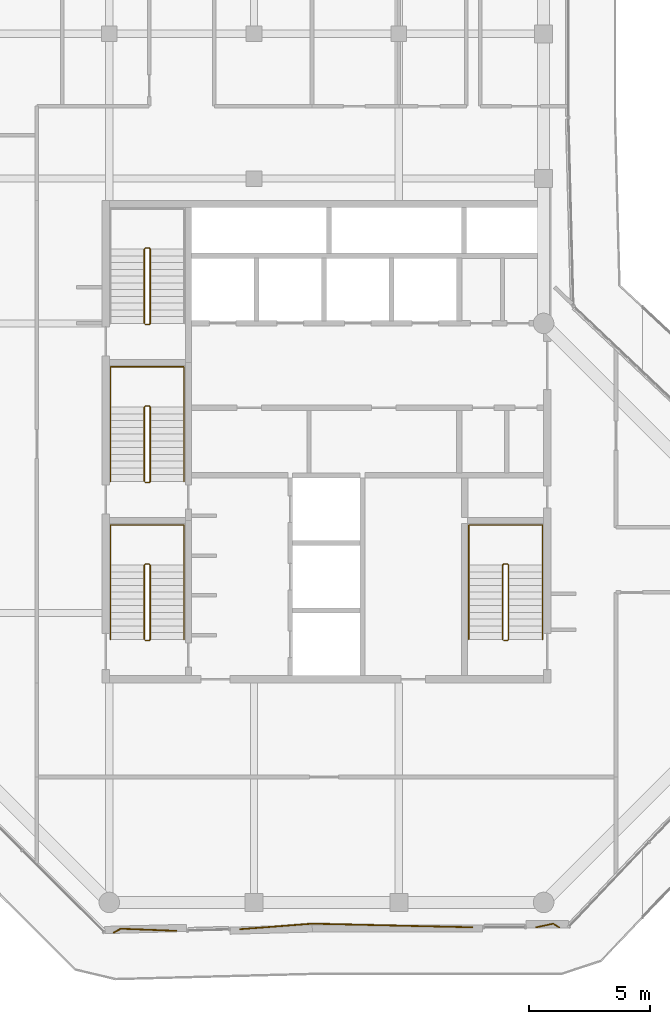
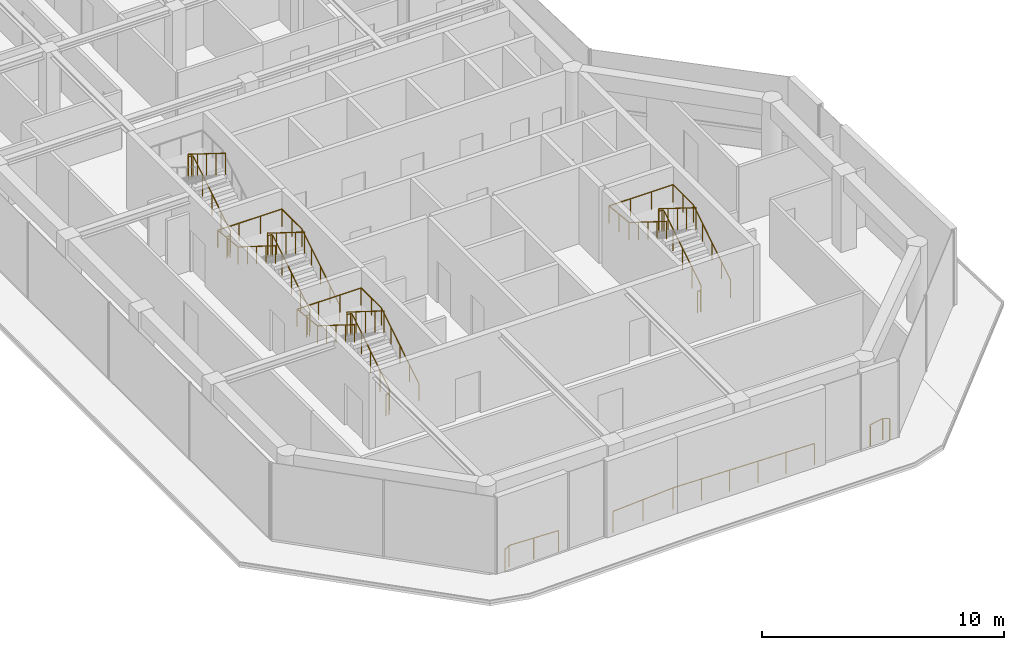
# One storey, part 19 of 20: 10 railings.
"""IFC4 building model written with IfcOpenShell, lengths in metres."""

from ifc_helpers import new_model, si_unit, direction, frame, origin, origin_2d, place, context, subcontext, project, spatial, circle, extrude, material, type_object, element, save


model = new_model("IFC4")

# Units and contexts
model_context = context("Model", 3, precision=1e-05, world=origin(), true_north=direction((0.0, 1.0)))
body_context = subcontext(model_context, "Body", "Model", "MODEL_VIEW")
ifc_project = project(units=[si_unit("LENGTHUNIT", "METRE"), si_unit("AREAUNIT", "SQUARE_METRE"), si_unit("VOLUMEUNIT", "CUBIC_METRE"), si_unit("PLANEANGLEUNIT", "RADIAN"), si_unit("MASSUNIT", "GRAM", prefix="KILO")], contexts=[model_context])

# Site, building, storey
site_placement = place(None, origin())
site = spatial("IfcSite", under=ifc_project, at=site_placement, CompositionType="ELEMENT")
building_placement = place(site_placement, origin())
building = spatial("IfcBuilding", under=site, at=building_placement, Name="Welwitschia Terrace Campus", CompositionType="ELEMENT")
storey_placement = place(building_placement, frame((0.0, 0.0, 293.60009765625)))
storey = spatial("IfcBuildingStorey", under=building, at=storey_placement, Name="L65", CompositionType="ELEMENT", Elevation=293.60009765625)

# Railings
ifc_material_1 = material(Name="Stainless steel grade 316", Category="steel")
railing_type_1 = type_object("IfcRailingType", Name="Guard 1100", PredefinedType="GUARDRAIL", material=ifc_material_1)
railing_1_placement = place(storey_placement, frame((8.781494140625, -5.177490234375, 0.0)))
element("IfcRailing", 1, at=railing_1_placement, inside=storey, type_object=railing_type_1, Name="Guard floor edge L65.1", PredefinedType="GUARDRAIL", context=body_context, shape_type="SweptSolid", body=[
    extrude(circle(Radius=0.02392578125, at=origin_2d()), frame((0.0, 0.0, 1.076171875), z_axis=(-0.99924214888, 0.038924643886, 0.0), x_axis=(-0.038924643886, -0.99924214888, 0.0)), (0.0, 0.0, 1.0), 2.30810546875),
    extrude(circle(Radius=0.02392578125, at=origin_2d()), frame((-2.306396484375, 0.08984375, 1.076171875), z_axis=(-0.87766865125, -0.479267919449, 0.0), x_axis=(0.479267919449, -0.87766865125, 0.0)), (0.0, 0.0, 1.0), 0.3291015625),
    extrude(circle(Radius=0.02099609375, at=origin_2d()), origin(), (0.0, 0.0, 1.0), 1.052001953125),
    extrude(circle(Radius=0.02099609375, at=origin_2d()), frame((-1.1533203125, 0.044921875, 0.0)), (0.0, 0.0, 1.0), 1.052001953125),
    extrude(circle(Radius=0.02099609375, at=origin_2d()), frame((-2.306396484375, 0.08984375, 0.0)), (0.0, 0.0, 1.0), 1.052001953125),
    extrude(circle(Radius=0.02099609375, at=origin_2d()), frame((-2.59521484375, -0.06787109375, 0.0)), (0.0, 0.0, 1.0), 1.052001953125),
])
railing_2_placement = place(storey_placement, frame((21.04931640625, -5.030029296875, 0.0)))
element("IfcRailing", 2, at=railing_2_placement, inside=storey, type_object=railing_type_1, Name="Guard floor edge L65.3", PredefinedType="GUARDRAIL", context=body_context, shape_type="SweptSolid", body=[
    extrude(circle(Radius=0.02392578125, at=origin_2d()), frame((0.0, 0.0, 1.076171875), z_axis=(-0.999744504045, 0.022603686261, 0.0), x_axis=(-0.022603686261, -0.999744504045, 0.0)), (0.0, 0.0, 1.0), 6.642578125),
    extrude(circle(Radius=0.02392578125, at=origin_2d()), frame((-6.640869140625, 0.150146484375, 1.076171875), z_axis=(-0.997079893717, -0.076365473511, 0.0), x_axis=(0.076365473511, -0.997079893717, 0.0)), (0.0, 0.0, 1.0), 2.9892578125),
    extrude(circle(Radius=0.02099609375, at=origin_2d()), origin(), (0.0, 0.0, 1.0), 1.052001953125),
    extrude(circle(Radius=0.02099609375, at=origin_2d()), frame((-1.328125, 0.030029296875, 0.0)), (0.0, 0.0, 1.0), 1.052001953125),
    extrude(circle(Radius=0.02099609375, at=origin_2d()), frame((-2.65625, 0.06005859375, 0.0)), (0.0, 0.0, 1.0), 1.052001953125),
    extrude(circle(Radius=0.02099609375, at=origin_2d()), frame((-3.984619140625, 0.090087890625, 0.0)), (0.0, 0.0, 1.0), 1.052001953125),
    extrude(circle(Radius=0.02099609375, at=origin_2d()), frame((-5.312744140625, 0.1201171875, 0.0)), (0.0, 0.0, 1.0), 1.052001953125),
    extrude(circle(Radius=0.02099609375, at=origin_2d()), frame((-6.640869140625, 0.150146484375, 0.0)), (0.0, 0.0, 1.0), 1.052001953125),
    extrude(circle(Radius=0.02099609375, at=origin_2d()), frame((-8.131103515625, 0.0361328125, 0.0)), (0.0, 0.0, 1.0), 1.052001953125),
    extrude(circle(Radius=0.02099609375, at=origin_2d()), frame((-9.621337890625, -0.078125, 0.0)), (0.0, 0.0, 1.0), 1.052001953125),
])
railing_3_placement = place(storey_placement, frame((24.641357421875, -5.030029296875, 0.0)))
element("IfcRailing", 3, at=railing_3_placement, inside=storey, type_object=railing_type_1, Name="Guard floor edge L65.5", PredefinedType="GUARDRAIL", context=body_context, shape_type="SweptSolid", body=[
    extrude(circle(Radius=0.02392578125, at=origin_2d()), frame((0.0, 0.0, 1.076171875), z_axis=(-0.853887909226, 0.520456951609, 0.0), x_axis=(-0.520456951609, -0.853887909226, 0.0)), (0.0, 0.0, 1.0), 0.28857421875),
    extrude(circle(Radius=0.02392578125, at=origin_2d()), frame((-0.246337890625, 0.150146484375, 1.076171875), z_axis=(-0.977652088752, -0.210229382721, 0.0), x_axis=(0.210229382721, -0.977652088752, 0.0)), (0.0, 0.0, 1.0), 0.714111328125),
    extrude(circle(Radius=0.02099609375, at=origin_2d()), origin(), (0.0, 0.0, 1.0), 1.052001953125),
    extrude(circle(Radius=0.02099609375, at=origin_2d()), frame((-0.246337890625, 0.150146484375, 0.0)), (0.0, 0.0, 1.0), 1.052001953125),
    extrude(circle(Radius=0.02099609375, at=origin_2d()), frame((-0.944580078125, 0.0, 0.0)), (0.0, 0.0, 1.0), 1.052001953125),
])
ifc_material_2 = material(Name="Steel S355", Category="steel")
railing_type_2 = type_object("IfcRailingType", Name="Stair guard 1100", PredefinedType="GUARDRAIL", material=ifc_material_2)
railing_4_placement = place(storey_placement, frame((7.5, 6.85009765625, 0.0)))
element("IfcRailing", 4, at=railing_4_placement, inside=storey, type_object=railing_type_2, Name="L65 S1 stair guard", PredefinedType="GUARDRAIL", context=body_context, shape_type="SweptSolid", body=[
    extrude(circle(Radius=0.02392578125, at=origin_2d()), frame((0.0, 0.0, 1.076171875), z_axis=(1.0, 0.0, 0.0), x_axis=(0.0, 1.0, 0.0)), (0.0, 0.0, 1.0), 0.14990234375),
    extrude(circle(Radius=0.02392578125, at=origin_2d()), frame((0.14990234375, 0.0, 1.076171875), z_axis=(0.265474339444, 0.264179342666, 0.927217692888), x_axis=(-0.705375805398, 0.708833529934, 0.0)), (0.0, 0.0, 1.0), 0.1884765625),
    extrude(circle(Radius=0.02392578125, at=origin_2d()), frame((0.199951171875, 0.0498046875, 1.2509765625), z_axis=(0.0, 0.847998304005, 0.529998940003), x_axis=(-1.0, 0.0, 0.0)), (0.0, 0.0, 1.0), 3.632080078125),
    extrude(circle(Radius=0.02392578125, at=origin_2d()), frame((0.199951171875, 3.1298828125, 3.17578125), z_axis=(-0.707106781187, 0.707106781187, 0.0), x_axis=(-0.707106781187, -0.707106781187, 0.0)), (0.0, 0.0, 1.0), 0.07080078125),
    extrude(circle(Radius=0.02392578125, at=origin_2d()), frame((0.14990234375, 3.179931640625, 3.17578125), z_axis=(-1.0, 0.0, 0.0), x_axis=(0.0, -1.0, 0.0)), (0.0, 0.0, 1.0), 0.14990234375),
    extrude(circle(Radius=0.02392578125, at=origin_2d()), frame((0.0, 3.179931640625, 3.17578125), z_axis=(-0.265065253269, -0.265065253269, 0.927081885822), x_axis=(0.707106781187, -0.707106781187, 0.0)), (0.0, 0.0, 1.0), 0.188720703125),
    extrude(circle(Radius=0.02392578125, at=origin_2d()), frame((-0.050048828125, 3.1298828125, 3.35107421875), z_axis=(0.0, -0.847998304005, 0.529998940003), x_axis=(1.0, 0.0, 0.0)), (0.0, 0.0, 1.0), 3.632080078125),
    extrude(circle(Radius=0.02099609375, at=origin_2d()), origin(), (0.0, 0.0, 1.0), 1.052001953125),
    extrude(circle(Radius=0.02099609375, at=origin_2d()), frame((0.14990234375, 0.0, 0.0)), (0.0, 0.0, 1.0), 1.052001953125),
    extrude(circle(Radius=0.02099609375, at=origin_2d()), frame((0.199951171875, 0.0498046875, 0.1748046875)), (0.0, 0.0, 1.0), 1.052001953125),
    extrude(circle(Radius=0.02099609375, at=origin_2d()), frame((0.199951171875, 0.81982421875, 0.656005859375)), (0.0, 0.0, 1.0), 1.052001953125),
    extrude(circle(Radius=0.02099609375, at=origin_2d()), frame((0.199951171875, 1.58984375, 1.13720703125)), (0.0, 0.0, 1.0), 1.052001953125),
    extrude(circle(Radius=0.02099609375, at=origin_2d()), frame((0.199951171875, 2.35986328125, 1.61865234375)), (0.0, 0.0, 1.0), 1.052001953125),
    extrude(circle(Radius=0.02099609375, at=origin_2d()), frame((0.199951171875, 3.1298828125, 2.099853515625)), (0.0, 0.0, 1.0), 1.052001953125),
    extrude(circle(Radius=0.02099609375, at=origin_2d()), frame((0.14990234375, 3.179931640625, 2.099853515625)), (0.0, 0.0, 1.0), 1.052001953125),
    extrude(circle(Radius=0.02099609375, at=origin_2d()), frame((0.0, 3.179931640625, 2.099853515625)), (0.0, 0.0, 1.0), 1.052001953125),
    extrude(circle(Radius=0.02099609375, at=origin_2d()), frame((-0.050048828125, 3.1298828125, 2.27490234375)), (0.0, 0.0, 1.0), 1.052001953125),
    extrude(circle(Radius=0.02099609375, at=origin_2d()), frame((-0.050048828125, 2.35986328125, 2.756103515625)), (0.0, 0.0, 1.0), 1.052001953125),
    extrude(circle(Radius=0.02099609375, at=origin_2d()), frame((-0.050048828125, 1.58984375, 3.2373046875)), (0.0, 0.0, 1.0), 1.052001953125),
    extrude(circle(Radius=0.02099609375, at=origin_2d()), frame((-0.050048828125, 0.81982421875, 3.71875)), (0.0, 0.0, 1.0), 1.052001953125),
    extrude(circle(Radius=0.02099609375, at=origin_2d()), frame((-0.050048828125, 0.0498046875, 4.199951171875)), (0.0, 0.0, 1.0), 1.052001953125),
])
railing_5_placement = place(storey_placement, frame((7.5, 13.39990234375, 0.0)))
element("IfcRailing", 5, at=railing_5_placement, inside=storey, type_object=railing_type_2, Name="L65 S3 stair guard", PredefinedType="GUARDRAIL", context=body_context, shape_type="SweptSolid", body=[
    extrude(circle(Radius=0.02392578125, at=origin_2d()), frame((0.0, 0.0, 1.076171875), z_axis=(1.0, 0.0, 0.0), x_axis=(0.0, 1.0, 0.0)), (0.0, 0.0, 1.0), 0.14990234375),
    extrude(circle(Radius=0.02392578125, at=origin_2d()), frame((0.14990234375, 0.0, 1.076171875), z_axis=(0.265383341853, 0.265383341853, 0.926899867156), x_axis=(-0.707106781187, 0.707106781187, 0.0)), (0.0, 0.0, 1.0), 0.1884765625),
    extrude(circle(Radius=0.02392578125, at=origin_2d()), frame((0.199951171875, 0.050048828125, 1.2509765625), z_axis=(0.0, 0.847998304005, 0.529998940003), x_axis=(-1.0, 0.0, 0.0)), (0.0, 0.0, 1.0), 3.632080078125),
    extrude(circle(Radius=0.02392578125, at=origin_2d()), frame((0.199951171875, 3.130126953125, 3.17578125), z_axis=(-0.707106781187, 0.707106781187, 0.0), x_axis=(-0.707106781187, -0.707106781187, 0.0)), (0.0, 0.0, 1.0), 0.07080078125),
    extrude(circle(Radius=0.02392578125, at=origin_2d()), frame((0.14990234375, 3.18017578125, 3.17578125), z_axis=(-1.0, 0.0, 0.0), x_axis=(0.0, -1.0, 0.0)), (0.0, 0.0, 1.0), 0.14990234375),
    extrude(circle(Radius=0.02392578125, at=origin_2d()), frame((0.0, 3.18017578125, 3.17578125), z_axis=(-0.265065253269, -0.265065253269, 0.927081885822), x_axis=(0.707106781187, -0.707106781187, 0.0)), (0.0, 0.0, 1.0), 0.188720703125),
    extrude(circle(Radius=0.02392578125, at=origin_2d()), frame((-0.050048828125, 3.130126953125, 3.35107421875), z_axis=(0.0, -0.847998304005, 0.529998940003), x_axis=(1.0, 0.0, 0.0)), (0.0, 0.0, 1.0), 3.632080078125),
    extrude(circle(Radius=0.02099609375, at=origin_2d()), origin(), (0.0, 0.0, 1.0), 1.052001953125),
    extrude(circle(Radius=0.02099609375, at=origin_2d()), frame((0.14990234375, 0.0, 0.0)), (0.0, 0.0, 1.0), 1.052001953125),
    extrude(circle(Radius=0.02099609375, at=origin_2d()), frame((0.199951171875, 0.050048828125, 0.1748046875)), (0.0, 0.0, 1.0), 1.052001953125),
    extrude(circle(Radius=0.02099609375, at=origin_2d()), frame((0.199951171875, 0.820068359375, 0.656005859375)), (0.0, 0.0, 1.0), 1.052001953125),
    extrude(circle(Radius=0.02099609375, at=origin_2d()), frame((0.199951171875, 1.590087890625, 1.13720703125)), (0.0, 0.0, 1.0), 1.052001953125),
    extrude(circle(Radius=0.02099609375, at=origin_2d()), frame((0.199951171875, 2.360107421875, 1.61865234375)), (0.0, 0.0, 1.0), 1.052001953125),
    extrude(circle(Radius=0.02099609375, at=origin_2d()), frame((0.199951171875, 3.130126953125, 2.099853515625)), (0.0, 0.0, 1.0), 1.052001953125),
    extrude(circle(Radius=0.02099609375, at=origin_2d()), frame((0.14990234375, 3.18017578125, 2.099853515625)), (0.0, 0.0, 1.0), 1.052001953125),
    extrude(circle(Radius=0.02099609375, at=origin_2d()), frame((0.0, 3.18017578125, 2.099853515625)), (0.0, 0.0, 1.0), 1.052001953125),
    extrude(circle(Radius=0.02099609375, at=origin_2d()), frame((-0.050048828125, 3.130126953125, 2.27490234375)), (0.0, 0.0, 1.0), 1.052001953125),
    extrude(circle(Radius=0.02099609375, at=origin_2d()), frame((-0.050048828125, 2.360107421875, 2.756103515625)), (0.0, 0.0, 1.0), 1.052001953125),
    extrude(circle(Radius=0.02099609375, at=origin_2d()), frame((-0.050048828125, 1.590087890625, 3.2373046875)), (0.0, 0.0, 1.0), 1.052001953125),
    extrude(circle(Radius=0.02099609375, at=origin_2d()), frame((-0.050048828125, 0.820068359375, 3.71875)), (0.0, 0.0, 1.0), 1.052001953125),
    extrude(circle(Radius=0.02099609375, at=origin_2d()), frame((-0.050048828125, 0.050048828125, 4.199951171875)), (0.0, 0.0, 1.0), 1.052001953125),
])
railing_6_placement = place(storey_placement, frame((7.5, 19.949951171875, 0.0)))
element("IfcRailing", 6, at=railing_6_placement, inside=storey, type_object=railing_type_2, Name="L65 S4 stair guard", PredefinedType="GUARDRAIL", context=body_context, shape_type="SweptSolid", body=[
    extrude(circle(Radius=0.02392578125, at=origin_2d()), frame((0.0, 0.0, 1.076171875), z_axis=(1.0, 0.0, 0.0), x_axis=(0.0, 1.0, 0.0)), (0.0, 0.0, 1.0), 0.14990234375),
    extrude(circle(Radius=0.02392578125, at=origin_2d()), frame((0.14990234375, 0.0, 1.076171875), z_axis=(0.265383341853, 0.265383341853, 0.926899867156), x_axis=(-0.707106781187, 0.707106781187, 0.0)), (0.0, 0.0, 1.0), 0.1884765625),
    extrude(circle(Radius=0.02392578125, at=origin_2d()), frame((0.199951171875, 0.050048828125, 1.2509765625), z_axis=(0.0, 0.847998304005, 0.529998940003), x_axis=(-1.0, 0.0, 0.0)), (0.0, 0.0, 1.0), 3.632080078125),
    extrude(circle(Radius=0.02392578125, at=origin_2d()), frame((0.199951171875, 3.130126953125, 3.17578125), z_axis=(-0.708833529934, 0.705375805398, 0.0), x_axis=(-0.705375805398, -0.708833529934, 0.0)), (0.0, 0.0, 1.0), 0.070556640625),
    extrude(circle(Radius=0.02392578125, at=origin_2d()), frame((0.14990234375, 3.179931640625, 3.17578125), z_axis=(-1.0, 0.0, 0.0), x_axis=(0.0, -1.0, 0.0)), (0.0, 0.0, 1.0), 0.14990234375),
    extrude(circle(Radius=0.02392578125, at=origin_2d()), frame((0.0, 3.179931640625, 3.17578125), z_axis=(-0.265155923931, -0.263862480399, 0.927399011991), x_axis=(0.705375805398, -0.708833529934, 0.0)), (0.0, 0.0, 1.0), 0.188720703125),
    extrude(circle(Radius=0.02392578125, at=origin_2d()), frame((-0.050048828125, 3.130126953125, 3.35107421875), z_axis=(0.0, -0.847998304005, 0.529998940003), x_axis=(1.0, 0.0, 0.0)), (0.0, 0.0, 1.0), 3.632080078125),
    extrude(circle(Radius=0.02099609375, at=origin_2d()), origin(), (0.0, 0.0, 1.0), 1.052001953125),
    extrude(circle(Radius=0.02099609375, at=origin_2d()), frame((0.14990234375, 0.0, 0.0)), (0.0, 0.0, 1.0), 1.052001953125),
    extrude(circle(Radius=0.02099609375, at=origin_2d()), frame((0.199951171875, 0.050048828125, 0.1748046875)), (0.0, 0.0, 1.0), 1.052001953125),
    extrude(circle(Radius=0.02099609375, at=origin_2d()), frame((0.199951171875, 0.820068359375, 0.656005859375)), (0.0, 0.0, 1.0), 1.052001953125),
    extrude(circle(Radius=0.02099609375, at=origin_2d()), frame((0.199951171875, 1.590087890625, 1.13720703125)), (0.0, 0.0, 1.0), 1.052001953125),
    extrude(circle(Radius=0.02099609375, at=origin_2d()), frame((0.199951171875, 2.360107421875, 1.61865234375)), (0.0, 0.0, 1.0), 1.052001953125),
    extrude(circle(Radius=0.02099609375, at=origin_2d()), frame((0.199951171875, 3.130126953125, 2.099853515625)), (0.0, 0.0, 1.0), 1.052001953125),
    extrude(circle(Radius=0.02099609375, at=origin_2d()), frame((0.14990234375, 3.179931640625, 2.099853515625)), (0.0, 0.0, 1.0), 1.052001953125),
    extrude(circle(Radius=0.02099609375, at=origin_2d()), frame((0.0, 3.179931640625, 2.099853515625)), (0.0, 0.0, 1.0), 1.052001953125),
    extrude(circle(Radius=0.02099609375, at=origin_2d()), frame((-0.050048828125, 3.130126953125, 2.27490234375)), (0.0, 0.0, 1.0), 1.052001953125),
    extrude(circle(Radius=0.02099609375, at=origin_2d()), frame((-0.050048828125, 2.360107421875, 2.756103515625)), (0.0, 0.0, 1.0), 1.052001953125),
    extrude(circle(Radius=0.02099609375, at=origin_2d()), frame((-0.050048828125, 1.590087890625, 3.2373046875)), (0.0, 0.0, 1.0), 1.052001953125),
    extrude(circle(Radius=0.02099609375, at=origin_2d()), frame((-0.050048828125, 0.820068359375, 3.71875)), (0.0, 0.0, 1.0), 1.052001953125),
    extrude(circle(Radius=0.02099609375, at=origin_2d()), frame((-0.050048828125, 0.050048828125, 4.199951171875)), (0.0, 0.0, 1.0), 1.052001953125),
])
railing_7_placement = place(storey_placement, frame((22.35009765625, 6.85009765625, 0.0)))
element("IfcRailing", 7, at=railing_7_placement, inside=storey, type_object=railing_type_2, Name="L65 S2 stair guard", PredefinedType="GUARDRAIL", context=body_context, shape_type="SweptSolid", body=[
    extrude(circle(Radius=0.02392578125, at=origin_2d()), frame((0.0, 0.0, 1.076171875), z_axis=(1.0, 0.0, 0.0), x_axis=(0.0, 1.0, 0.0)), (0.0, 0.0, 1.0), 0.14990234375),
    extrude(circle(Radius=0.02392578125, at=origin_2d()), frame((0.14990234375, 0.0, 1.076171875), z_axis=(0.265474339444, 0.264179342666, 0.927217692888), x_axis=(-0.705375805398, 0.708833529934, 0.0)), (0.0, 0.0, 1.0), 0.1884765625),
    extrude(circle(Radius=0.02392578125, at=origin_2d()), frame((0.199951171875, 0.0498046875, 1.2509765625), z_axis=(0.0, 0.847998304005, 0.529998940003), x_axis=(-1.0, 0.0, 0.0)), (0.0, 0.0, 1.0), 3.632080078125),
    extrude(circle(Radius=0.02392578125, at=origin_2d()), frame((0.199951171875, 3.1298828125, 3.17578125), z_axis=(-0.707106781187, 0.707106781187, 0.0), x_axis=(-0.707106781187, -0.707106781187, 0.0)), (0.0, 0.0, 1.0), 0.07080078125),
    extrude(circle(Radius=0.02392578125, at=origin_2d()), frame((0.14990234375, 3.179931640625, 3.17578125), z_axis=(-1.0, 0.0, 0.0), x_axis=(0.0, -1.0, 0.0)), (0.0, 0.0, 1.0), 0.14990234375),
    extrude(circle(Radius=0.02392578125, at=origin_2d()), frame((0.0, 3.179931640625, 3.17578125), z_axis=(-0.265065253269, -0.265065253269, 0.927081885822), x_axis=(0.707106781187, -0.707106781187, 0.0)), (0.0, 0.0, 1.0), 0.188720703125),
    extrude(circle(Radius=0.02392578125, at=origin_2d()), frame((-0.050048828125, 3.1298828125, 3.35107421875), z_axis=(0.0, -0.847998304005, 0.529998940003), x_axis=(1.0, 0.0, 0.0)), (0.0, 0.0, 1.0), 3.632080078125),
    extrude(circle(Radius=0.02099609375, at=origin_2d()), origin(), (0.0, 0.0, 1.0), 1.052001953125),
    extrude(circle(Radius=0.02099609375, at=origin_2d()), frame((0.14990234375, 0.0, 0.0)), (0.0, 0.0, 1.0), 1.052001953125),
    extrude(circle(Radius=0.02099609375, at=origin_2d()), frame((0.199951171875, 0.0498046875, 0.1748046875)), (0.0, 0.0, 1.0), 1.052001953125),
    extrude(circle(Radius=0.02099609375, at=origin_2d()), frame((0.199951171875, 0.81982421875, 0.656005859375)), (0.0, 0.0, 1.0), 1.052001953125),
    extrude(circle(Radius=0.02099609375, at=origin_2d()), frame((0.199951171875, 1.58984375, 1.13720703125)), (0.0, 0.0, 1.0), 1.052001953125),
    extrude(circle(Radius=0.02099609375, at=origin_2d()), frame((0.199951171875, 2.35986328125, 1.61865234375)), (0.0, 0.0, 1.0), 1.052001953125),
    extrude(circle(Radius=0.02099609375, at=origin_2d()), frame((0.199951171875, 3.1298828125, 2.099853515625)), (0.0, 0.0, 1.0), 1.052001953125),
    extrude(circle(Radius=0.02099609375, at=origin_2d()), frame((0.14990234375, 3.179931640625, 2.099853515625)), (0.0, 0.0, 1.0), 1.052001953125),
    extrude(circle(Radius=0.02099609375, at=origin_2d()), frame((0.0, 3.179931640625, 2.099853515625)), (0.0, 0.0, 1.0), 1.052001953125),
    extrude(circle(Radius=0.02099609375, at=origin_2d()), frame((-0.050048828125, 3.1298828125, 2.27490234375)), (0.0, 0.0, 1.0), 1.052001953125),
    extrude(circle(Radius=0.02099609375, at=origin_2d()), frame((-0.050048828125, 2.35986328125, 2.756103515625)), (0.0, 0.0, 1.0), 1.052001953125),
    extrude(circle(Radius=0.02099609375, at=origin_2d()), frame((-0.050048828125, 1.58984375, 3.2373046875)), (0.0, 0.0, 1.0), 1.052001953125),
    extrude(circle(Radius=0.02099609375, at=origin_2d()), frame((-0.050048828125, 0.81982421875, 3.71875)), (0.0, 0.0, 1.0), 1.052001953125),
    extrude(circle(Radius=0.02099609375, at=origin_2d()), frame((-0.050048828125, 0.0498046875, 4.199951171875)), (0.0, 0.0, 1.0), 1.052001953125),
])
ifc_material_3 = material(Name="Steel S355", Category="steel")
railing_type_3 = type_object("IfcRailingType", Name="Stair handrail 900", PredefinedType="HANDRAIL", material=ifc_material_3)
railing_8_placement = place(storey_placement, frame((9.10009765625, 6.89990234375, 0.1748046875)))
element("IfcRailing", 8, at=railing_8_placement, inside=storey, type_object=railing_type_3, Name="L65 S1 stair handrail", PredefinedType="HANDRAIL", context=body_context, shape_type="SweptSolid", body=[
    extrude(circle(Radius=0.02392578125, at=origin_2d()), frame((0.0, 0.0, 0.8759765625), z_axis=(0.0, 0.847998304005, 0.529998940003), x_axis=(-1.0, 0.0, 0.0)), (0.0, 0.0, 1.0), 3.632080078125),
    extrude(circle(Radius=0.02392578125, at=origin_2d()), frame((0.0, 3.080078125, 2.80078125), z_axis=(0.0, 1.0, 0.0), x_axis=(-1.0, 0.0, 0.0)), (0.0, 0.0, 1.0), 1.669921875),
    extrude(circle(Radius=0.02392578125, at=origin_2d()), frame((0.0, 4.75, 2.80078125), z_axis=(-1.0, 0.0, 0.0), x_axis=(0.0, -1.0, 0.0)), (0.0, 0.0, 1.0), 3.050048828125),
    extrude(circle(Radius=0.02392578125, at=origin_2d()), frame((-3.050048828125, 4.75, 2.80078125), z_axis=(0.0, -0.99455077262, 0.104253348533), x_axis=(1.0, 0.0, 0.0)), (0.0, 0.0, 1.0), 1.678955078125),
    extrude(circle(Radius=0.02392578125, at=origin_2d()), frame((-3.050048828125, 3.080078125, 2.97607421875), z_axis=(0.0, -0.847998304005, 0.529998940003), x_axis=(1.0, 0.0, 0.0)), (0.0, 0.0, 1.0), 3.632080078125),
    extrude(circle(Radius=0.02099609375, at=origin_2d()), origin(), (0.0, 0.0, 1.0), 0.851806640625),
    extrude(circle(Radius=0.02099609375, at=origin_2d()), frame((0.0, 0.77001953125, 0.481201171875)), (0.0, 0.0, 1.0), 0.851806640625),
    extrude(circle(Radius=0.02099609375, at=origin_2d()), frame((0.0, 1.5400390625, 0.96240234375)), (0.0, 0.0, 1.0), 0.851806640625),
    extrude(circle(Radius=0.02099609375, at=origin_2d()), frame((0.0, 2.31005859375, 1.44384765625)), (0.0, 0.0, 1.0), 0.851806640625),
    extrude(circle(Radius=0.02099609375, at=origin_2d()), frame((0.0, 3.080078125, 1.925048828125)), (0.0, 0.0, 1.0), 0.851806640625),
    extrude(circle(Radius=0.02099609375, at=origin_2d()), frame((0.0, 3.9150390625, 1.925048828125)), (0.0, 0.0, 1.0), 0.851806640625),
    extrude(circle(Radius=0.02099609375, at=origin_2d()), frame((0.0, 4.75, 1.925048828125)), (0.0, 0.0, 1.0), 0.851806640625),
    extrude(circle(Radius=0.02099609375, at=origin_2d()), frame((-1.0166015625, 4.75, 1.925048828125)), (0.0, 0.0, 1.0), 0.851806640625),
    extrude(circle(Radius=0.02099609375, at=origin_2d()), frame((-2.033447265625, 4.75, 1.925048828125)), (0.0, 0.0, 1.0), 0.851806640625),
    extrude(circle(Radius=0.02099609375, at=origin_2d()), frame((-3.050048828125, 4.75, 1.925048828125)), (0.0, 0.0, 1.0), 0.851806640625),
    extrude(circle(Radius=0.02099609375, at=origin_2d()), frame((-3.050048828125, 3.9150390625, 2.0126953125)), (0.0, 0.0, 1.0), 0.851806640625),
    extrude(circle(Radius=0.02099609375, at=origin_2d()), frame((-3.050048828125, 3.080078125, 2.10009765625)), (0.0, 0.0, 1.0), 0.851806640625),
    extrude(circle(Radius=0.02099609375, at=origin_2d()), frame((-3.050048828125, 2.31005859375, 2.581298828125)), (0.0, 0.0, 1.0), 0.851806640625),
    extrude(circle(Radius=0.02099609375, at=origin_2d()), frame((-3.050048828125, 1.5400390625, 3.0625)), (0.0, 0.0, 1.0), 0.851806640625),
    extrude(circle(Radius=0.02099609375, at=origin_2d()), frame((-3.050048828125, 0.77001953125, 3.5439453125)), (0.0, 0.0, 1.0), 0.851806640625),
    extrude(circle(Radius=0.02099609375, at=origin_2d()), frame((-3.050048828125, 0.0, 4.025146484375)), (0.0, 0.0, 1.0), 0.851806640625),
])
railing_9_placement = place(storey_placement, frame((9.10009765625, 13.449951171875, 0.1748046875)))
element("IfcRailing", 9, at=railing_9_placement, inside=storey, type_object=railing_type_3, Name="L65 S3 stair handrail", PredefinedType="HANDRAIL", context=body_context, shape_type="SweptSolid", body=[
    extrude(circle(Radius=0.02392578125, at=origin_2d()), frame((0.0, 0.0, 0.8759765625), z_axis=(0.0, 0.847998304005, 0.529998940003), x_axis=(-1.0, 0.0, 0.0)), (0.0, 0.0, 1.0), 3.632080078125),
    extrude(circle(Radius=0.02392578125, at=origin_2d()), frame((0.0, 3.080078125, 2.80078125), z_axis=(0.0, 1.0, 0.0), x_axis=(-1.0, 0.0, 0.0)), (0.0, 0.0, 1.0), 1.669921875),
    extrude(circle(Radius=0.02392578125, at=origin_2d()), frame((0.0, 4.75, 2.80078125), z_axis=(-1.0, 0.0, 0.0), x_axis=(0.0, -1.0, 0.0)), (0.0, 0.0, 1.0), 3.050048828125),
    extrude(circle(Radius=0.02392578125, at=origin_2d()), frame((-3.050048828125, 4.75, 2.80078125), z_axis=(0.0, -0.99455077262, 0.104253348533), x_axis=(1.0, 0.0, 0.0)), (0.0, 0.0, 1.0), 1.678955078125),
    extrude(circle(Radius=0.02392578125, at=origin_2d()), frame((-3.050048828125, 3.080078125, 2.97607421875), z_axis=(0.0, -0.847998304005, 0.529998940003), x_axis=(1.0, 0.0, 0.0)), (0.0, 0.0, 1.0), 3.632080078125),
    extrude(circle(Radius=0.02099609375, at=origin_2d()), origin(), (0.0, 0.0, 1.0), 0.851806640625),
    extrude(circle(Radius=0.02099609375, at=origin_2d()), frame((0.0, 0.77001953125, 0.481201171875)), (0.0, 0.0, 1.0), 0.851806640625),
    extrude(circle(Radius=0.02099609375, at=origin_2d()), frame((0.0, 1.5400390625, 0.96240234375)), (0.0, 0.0, 1.0), 0.851806640625),
    extrude(circle(Radius=0.02099609375, at=origin_2d()), frame((0.0, 2.31005859375, 1.44384765625)), (0.0, 0.0, 1.0), 0.851806640625),
    extrude(circle(Radius=0.02099609375, at=origin_2d()), frame((0.0, 3.080078125, 1.925048828125)), (0.0, 0.0, 1.0), 0.851806640625),
    extrude(circle(Radius=0.02099609375, at=origin_2d()), frame((0.0, 3.9150390625, 1.925048828125)), (0.0, 0.0, 1.0), 0.851806640625),
    extrude(circle(Radius=0.02099609375, at=origin_2d()), frame((0.0, 4.75, 1.925048828125)), (0.0, 0.0, 1.0), 0.851806640625),
    extrude(circle(Radius=0.02099609375, at=origin_2d()), frame((-1.0166015625, 4.75, 1.925048828125)), (0.0, 0.0, 1.0), 0.851806640625),
    extrude(circle(Radius=0.02099609375, at=origin_2d()), frame((-2.033447265625, 4.75, 1.925048828125)), (0.0, 0.0, 1.0), 0.851806640625),
    extrude(circle(Radius=0.02099609375, at=origin_2d()), frame((-3.050048828125, 4.75, 1.925048828125)), (0.0, 0.0, 1.0), 0.851806640625),
    extrude(circle(Radius=0.02099609375, at=origin_2d()), frame((-3.050048828125, 3.9150390625, 2.0126953125)), (0.0, 0.0, 1.0), 0.851806640625),
    extrude(circle(Radius=0.02099609375, at=origin_2d()), frame((-3.050048828125, 3.080078125, 2.10009765625)), (0.0, 0.0, 1.0), 0.851806640625),
    extrude(circle(Radius=0.02099609375, at=origin_2d()), frame((-3.050048828125, 2.31005859375, 2.581298828125)), (0.0, 0.0, 1.0), 0.851806640625),
    extrude(circle(Radius=0.02099609375, at=origin_2d()), frame((-3.050048828125, 1.5400390625, 3.0625)), (0.0, 0.0, 1.0), 0.851806640625),
    extrude(circle(Radius=0.02099609375, at=origin_2d()), frame((-3.050048828125, 0.77001953125, 3.5439453125)), (0.0, 0.0, 1.0), 0.851806640625),
    extrude(circle(Radius=0.02099609375, at=origin_2d()), frame((-3.050048828125, 0.0, 4.025146484375)), (0.0, 0.0, 1.0), 0.851806640625),
])
railing_10_placement = place(storey_placement, frame((23.949951171875, 6.89990234375, 0.1748046875)))
element("IfcRailing", 10, at=railing_10_placement, inside=storey, type_object=railing_type_3, Name="L65 S2 stair handrail", PredefinedType="HANDRAIL", context=body_context, shape_type="SweptSolid", body=[
    extrude(circle(Radius=0.02392578125, at=origin_2d()), frame((0.0, 0.0, 0.8759765625), z_axis=(0.0, 0.847998304005, 0.529998940003), x_axis=(-1.0, 0.0, 0.0)), (0.0, 0.0, 1.0), 3.632080078125),
    extrude(circle(Radius=0.02392578125, at=origin_2d()), frame((0.0, 3.080078125, 2.80078125), z_axis=(0.0, 1.0, 0.0), x_axis=(-1.0, 0.0, 0.0)), (0.0, 0.0, 1.0), 1.669921875),
    extrude(circle(Radius=0.02392578125, at=origin_2d()), frame((0.0, 4.75, 2.80078125), z_axis=(-1.0, 0.0, 0.0), x_axis=(0.0, -1.0, 0.0)), (0.0, 0.0, 1.0), 3.050048828125),
    extrude(circle(Radius=0.02392578125, at=origin_2d()), frame((-3.050048828125, 4.75, 2.80078125), z_axis=(0.0, -0.99455077262, 0.104253348533), x_axis=(1.0, 0.0, 0.0)), (0.0, 0.0, 1.0), 1.678955078125),
    extrude(circle(Radius=0.02392578125, at=origin_2d()), frame((-3.050048828125, 3.080078125, 2.97607421875), z_axis=(0.0, -0.847998304005, 0.529998940003), x_axis=(1.0, 0.0, 0.0)), (0.0, 0.0, 1.0), 3.632080078125),
    extrude(circle(Radius=0.02099609375, at=origin_2d()), origin(), (0.0, 0.0, 1.0), 0.851806640625),
    extrude(circle(Radius=0.02099609375, at=origin_2d()), frame((0.0, 0.77001953125, 0.481201171875)), (0.0, 0.0, 1.0), 0.851806640625),
    extrude(circle(Radius=0.02099609375, at=origin_2d()), frame((0.0, 1.5400390625, 0.96240234375)), (0.0, 0.0, 1.0), 0.851806640625),
    extrude(circle(Radius=0.02099609375, at=origin_2d()), frame((0.0, 2.31005859375, 1.44384765625)), (0.0, 0.0, 1.0), 0.851806640625),
    extrude(circle(Radius=0.02099609375, at=origin_2d()), frame((0.0, 3.080078125, 1.925048828125)), (0.0, 0.0, 1.0), 0.851806640625),
    extrude(circle(Radius=0.02099609375, at=origin_2d()), frame((0.0, 3.9150390625, 1.925048828125)), (0.0, 0.0, 1.0), 0.851806640625),
    extrude(circle(Radius=0.02099609375, at=origin_2d()), frame((0.0, 4.75, 1.925048828125)), (0.0, 0.0, 1.0), 0.851806640625),
    extrude(circle(Radius=0.02099609375, at=origin_2d()), frame((-1.0166015625, 4.75, 1.925048828125)), (0.0, 0.0, 1.0), 0.851806640625),
    extrude(circle(Radius=0.02099609375, at=origin_2d()), frame((-2.033447265625, 4.75, 1.925048828125)), (0.0, 0.0, 1.0), 0.851806640625),
    extrude(circle(Radius=0.02099609375, at=origin_2d()), frame((-3.050048828125, 4.75, 1.925048828125)), (0.0, 0.0, 1.0), 0.851806640625),
    extrude(circle(Radius=0.02099609375, at=origin_2d()), frame((-3.050048828125, 3.9150390625, 2.0126953125)), (0.0, 0.0, 1.0), 0.851806640625),
    extrude(circle(Radius=0.02099609375, at=origin_2d()), frame((-3.050048828125, 3.080078125, 2.10009765625)), (0.0, 0.0, 1.0), 0.851806640625),
    extrude(circle(Radius=0.02099609375, at=origin_2d()), frame((-3.050048828125, 2.31005859375, 2.581298828125)), (0.0, 0.0, 1.0), 0.851806640625),
    extrude(circle(Radius=0.02099609375, at=origin_2d()), frame((-3.050048828125, 1.5400390625, 3.0625)), (0.0, 0.0, 1.0), 0.851806640625),
    extrude(circle(Radius=0.02099609375, at=origin_2d()), frame((-3.050048828125, 0.77001953125, 3.5439453125)), (0.0, 0.0, 1.0), 0.851806640625),
    extrude(circle(Radius=0.02099609375, at=origin_2d()), frame((-3.050048828125, 0.0, 4.025146484375)), (0.0, 0.0, 1.0), 0.851806640625),
])

save(model, "model.ifc")
